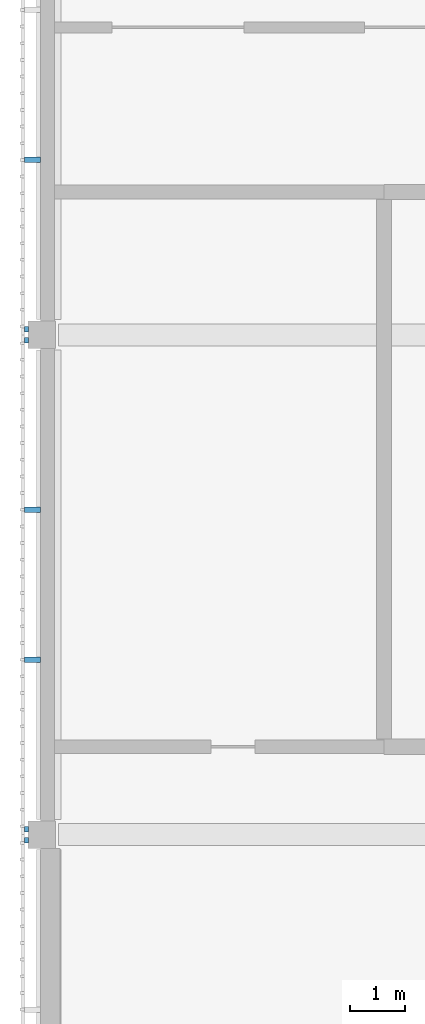
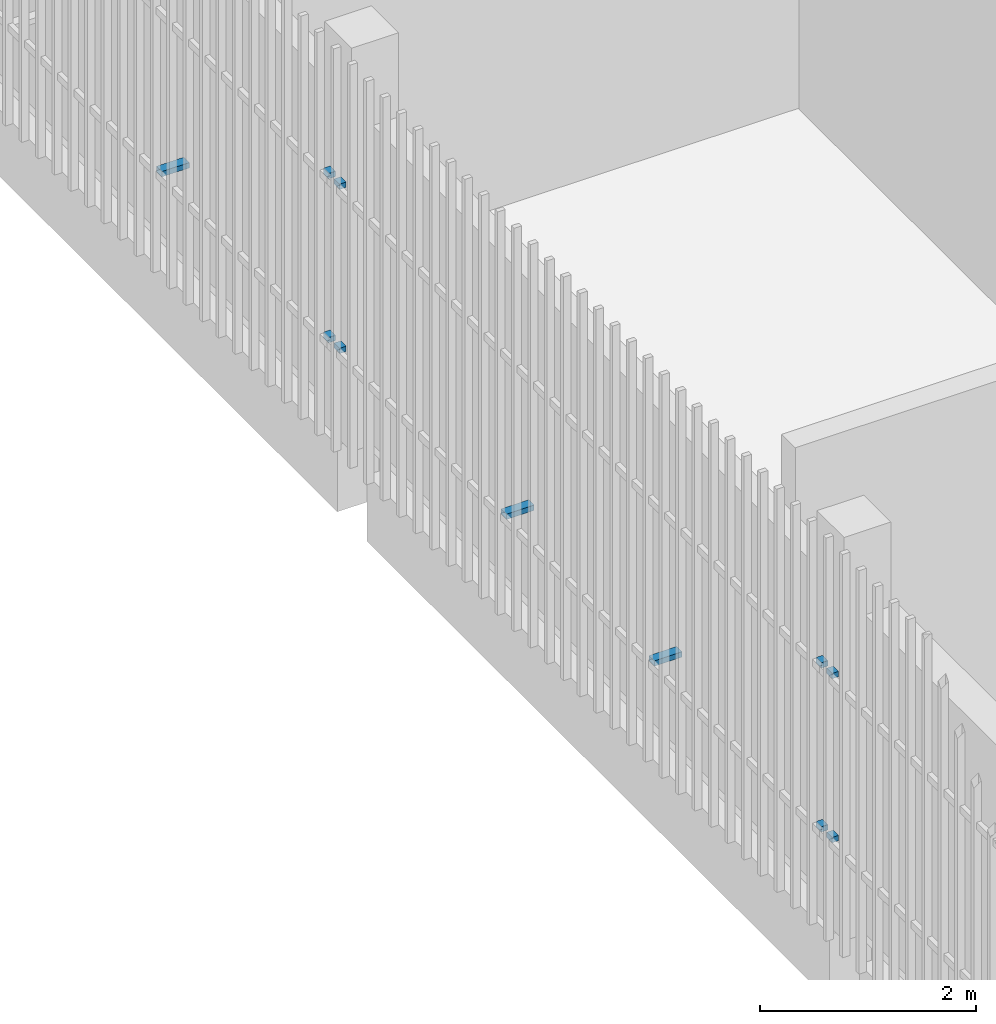
# One storey, part 62 of 91: 11 discrete accessories.
"""IFC4 building model written with IfcOpenShell, lengths in metres."""

from ifc_helpers import new_model, si_unit, direction, frame, origin, origin_2d, place, context, subcontext, project, spatial, rectangle, extrude, material, type_object, element, save


model = new_model("IFC4")

# Units and contexts
model_context = context("Model", 3, precision=1e-05, world=origin(), true_north=direction((0.0, 1.0)))
body_context = subcontext(model_context, "Body", "Model", "MODEL_VIEW")
ifc_project = project(units=[si_unit("LENGTHUNIT", "METRE"), si_unit("AREAUNIT", "SQUARE_METRE"), si_unit("VOLUMEUNIT", "CUBIC_METRE"), si_unit("PLANEANGLEUNIT", "RADIAN"), si_unit("MASSUNIT", "GRAM", prefix="KILO")], contexts=[model_context])

# Site, building, storey
site_placement = place(None, origin())
site = spatial("IfcSite", under=ifc_project, at=site_placement, CompositionType="ELEMENT")
building_placement = place(site_placement, origin())
building = spatial("IfcBuilding", under=site, at=building_placement, Name="Shirokan Park Arena", CompositionType="ELEMENT")
storey_placement = place(building_placement, frame((0.0, 0.0, 24.570068359375)))
storey = spatial("IfcBuildingStorey", under=building, at=storey_placement, Name="L05", CompositionType="ELEMENT", Elevation=24.570068359375)

# Discrete accessories
ifc_material = material(Name="Steel S355", Category="steel")
discrete_accessory_type = type_object("IfcDiscreteAccessoryType", Name="Veil bracket 100x60", PredefinedType="BRACKET", material=ifc_material)
for number, where, z_axis, x_axis, name in (
    (1, (-0.409912109375, 27.39990234375, 1.06982421875), (0.0, 0.0, 1.0), (0.0, -1.0, 0.0), "Veil bracket west bay 9 L05 2"),
    (2, (-0.409912109375, 27.39990234375, 2.919921875), (0.0, 0.0, 1.0), (0.0, -1.0, 0.0), "Veil bracket west bay 9 L05 4"),
):
    element("IfcDiscreteAccessory", number, at=place(storey_placement, frame(where, z_axis=z_axis, x_axis=x_axis)), inside=storey, type_object=discrete_accessory_type, Name=name, PredefinedType="BRACKET", context=body_context, shape_type="SweptSolid", body=[
        extrude(rectangle(XDim=0.10009765625, YDim=0.070068359375, at=origin_2d()), origin(), (0.0, 0.0, 1.0), 0.06005859375),
    ])
discrete_accessory_placement = place(storey_placement, frame((-0.297607421875, 30.485107421875, 1.06982421875), z_axis=(0.0, 0.0, 1.0), x_axis=(0.0, -1.0, 0.0)))
element("IfcDiscreteAccessory", 3, at=discrete_accessory_placement, inside=storey, type_object=discrete_accessory_type, Name="Veil bracket west bay 9 L05 wall 2", PredefinedType="BRACKET", context=body_context, shape_type="SweptSolid", body=[
    extrude(rectangle(XDim=0.10009765625, YDim=0.294921875, at=origin_2d()), origin(), (0.0, 0.0, 1.0), 0.06005859375),
])
for number, where, z_axis, x_axis, name in (
    (4, (-0.409912109375, 27.199951171875, 1.06982421875), (0.0, 0.0, 1.0), (0.0, -1.0, 0.0), "Veil bracket west bay 10 L05 1"),
    (5, (-0.409912109375, 18.300048828125, 1.06982421875), (0.0, 0.0, 1.0), (0.0, -1.0, 0.0), "Veil bracket west bay 10 L05 2"),
    (6, (-0.409912109375, 27.199951171875, 2.919921875), (0.0, 0.0, 1.0), (0.0, -1.0, 0.0), "Veil bracket west bay 10 L05 3"),
    (7, (-0.409912109375, 18.300048828125, 2.919921875), (0.0, 0.0, 1.0), (0.0, -1.0, 0.0), "Veil bracket west bay 10 L05 4"),
):
    element("IfcDiscreteAccessory", number, at=place(storey_placement, frame(where, z_axis=z_axis, x_axis=x_axis)), inside=storey, type_object=discrete_accessory_type, Name=name, PredefinedType="BRACKET", context=body_context, shape_type="SweptSolid", body=[
        extrude(rectangle(XDim=0.10009765625, YDim=0.070068359375, at=origin_2d()), origin(), (0.0, 0.0, 1.0), 0.06005859375),
    ])
for number, where, z_axis, x_axis, name in (
    (8, (-0.297607421875, 24.114990234375, 1.06982421875), (0.0, 0.0, 1.0), (0.0, -1.0, 0.0), "Veil bracket west bay 10 L05 wall 1"),
    (9, (-0.297607421875, 21.385009765625, 1.06982421875), (0.0, 0.0, 1.0), (0.0, -1.0, 0.0), "Veil bracket west bay 10 L05 wall 2"),
):
    element("IfcDiscreteAccessory", number, at=place(storey_placement, frame(where, z_axis=z_axis, x_axis=x_axis)), inside=storey, type_object=discrete_accessory_type, Name=name, PredefinedType="BRACKET", context=body_context, shape_type="SweptSolid", body=[
        extrude(rectangle(XDim=0.10009765625, YDim=0.294921875, at=origin_2d()), origin(), (0.0, 0.0, 1.0), 0.06005859375),
    ])
for number, where, z_axis, x_axis, name in (
    (10, (-0.409912109375, 18.10009765625, 1.06982421875), (0.0, 0.0, 1.0), (0.0, -1.0, 0.0), "Veil bracket west bay 11 L05 1"),
    (11, (-0.409912109375, 18.10009765625, 2.919921875), (0.0, 0.0, 1.0), (0.0, -1.0, 0.0), "Veil bracket west bay 11 L05 3"),
):
    element("IfcDiscreteAccessory", number, at=place(storey_placement, frame(where, z_axis=z_axis, x_axis=x_axis)), inside=storey, type_object=discrete_accessory_type, Name=name, PredefinedType="BRACKET", context=body_context, shape_type="SweptSolid", body=[
        extrude(rectangle(XDim=0.10009765625, YDim=0.070068359375, at=origin_2d()), origin(), (0.0, 0.0, 1.0), 0.06005859375),
    ])

save(model, "model.ifc")
